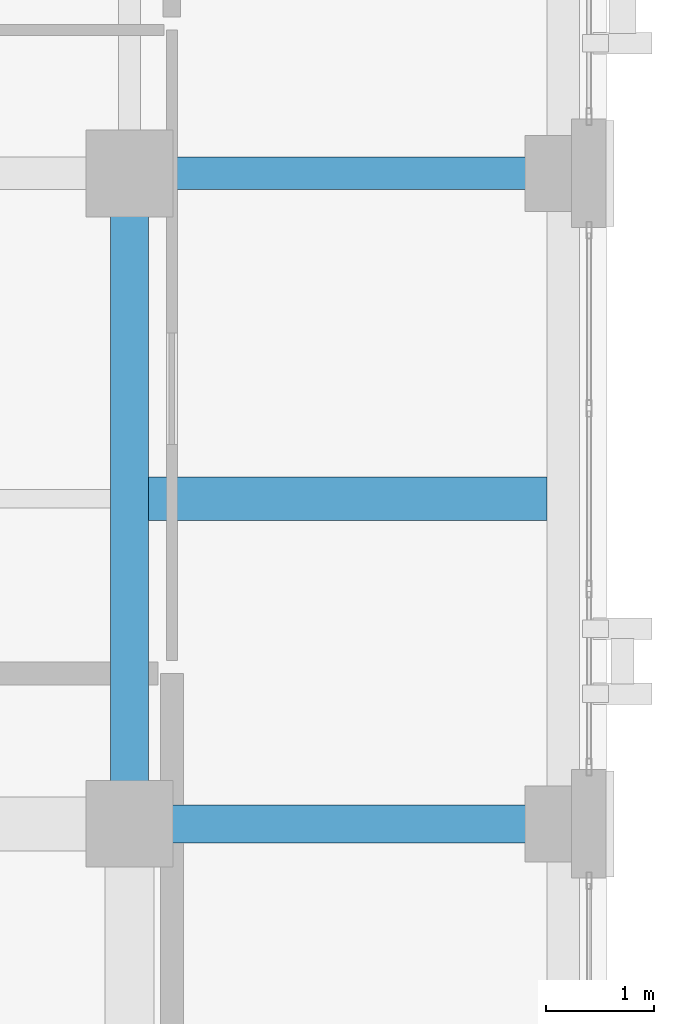
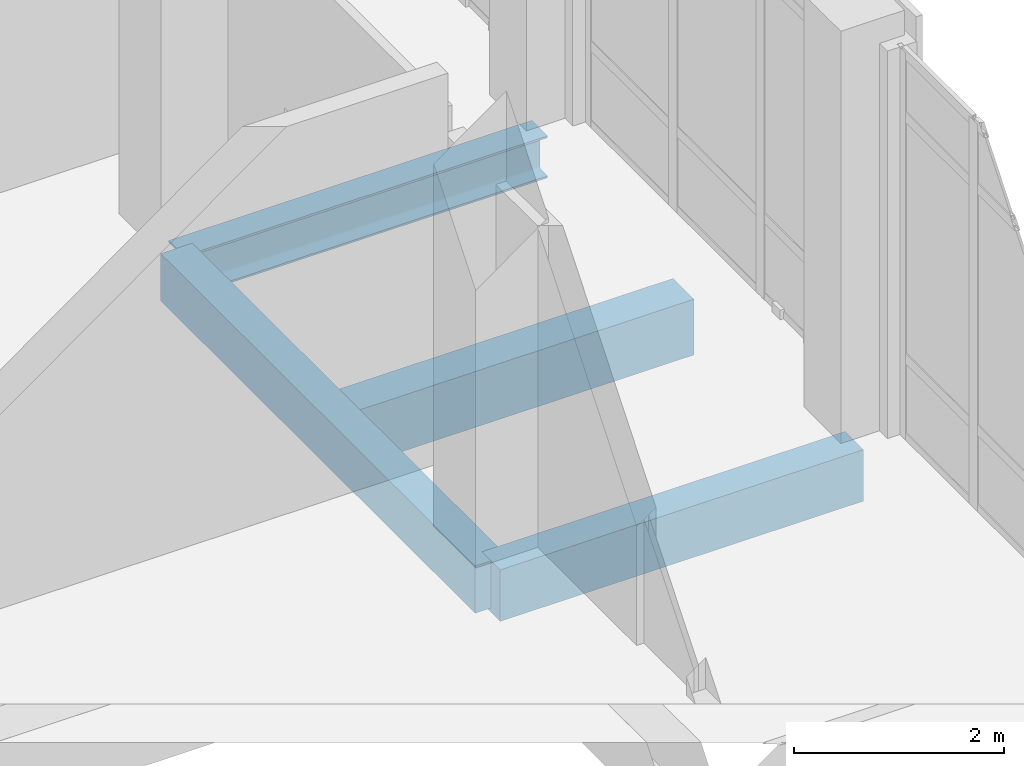
# One storey, part 71 of 189: 4 beams.
"""IFC4 building model written with IfcOpenShell, lengths in metres."""

from ifc_helpers import new_model, si_unit, direction, frame, origin, origin_2d, place, context, subcontext, project, spatial, rectangle, i_section, extrude, material, material_profile, profile_set, type_object, element, save


model = new_model("IFC4")

# Units and contexts
model_context = context("Model", 3, precision=1e-05, world=origin(), true_north=direction((0.0, 1.0)))
body_context = subcontext(model_context, "Body", "Model", "MODEL_VIEW")
ifc_project = project(units=[si_unit("LENGTHUNIT", "METRE"), si_unit("AREAUNIT", "SQUARE_METRE"), si_unit("VOLUMEUNIT", "CUBIC_METRE"), si_unit("PLANEANGLEUNIT", "RADIAN"), si_unit("MASSUNIT", "GRAM", prefix="KILO")], contexts=[model_context])

# Site, building, storey
site_placement = place(None, origin())
site = spatial("IfcSite", under=ifc_project, at=site_placement, CompositionType="ELEMENT")
building_placement = place(site_placement, origin())
building = spatial("IfcBuilding", under=site, at=building_placement, Name="Qalavern Law Courts", CompositionType="ELEMENT")
storey_placement = place(building_placement, frame((0.0, 0.0, 5.39990234375)))
storey = spatial("IfcBuildingStorey", under=building, at=storey_placement, Name="L01", CompositionType="ELEMENT", Elevation=5.39990234375)

# Beams
ifc_material_1 = material(Name="Steel S355", Category="steel")
ifc_material_profile_1 = material_profile(ifc_material_1, i_section(OverallWidth=0.300048828125, OverallDepth=0.489990234375, WebThickness=0.011962890625, FlangeThickness=0.02294921875, FilletRadius=0.027099609375, at=origin_2d()), Name="HEA 500")
ifc_profile_set_1 = profile_set([ifc_material_profile_1], Name="Steel S355")
beam_type_1 = type_object("IfcBeamType", Name="STR-BM-HEA500", PredefinedType="BEAM", material=ifc_profile_set_1)
beam_1_placement = place(storey_placement, frame((14.39990234375, 79.39990234375, -0.544921875), z_axis=(1.0, 0.0, 0.0), x_axis=(0.0, 1.0, 0.0)))
element("IfcBeam", 1, at=beam_1_placement, inside=storey, type_object=beam_type_1, Name="V3 X-beam 6-2 L01", PredefinedType="BEAM", context=body_context, shape_type="SweptSolid", body=[
    extrude(i_section(OverallWidth=0.300048828125, OverallDepth=0.489990234375, WebThickness=0.011962890625, FlangeThickness=0.02294921875, FilletRadius=0.027099609375, at=origin_2d()), origin(), (0.0, 0.0, 1.0), 4.0),
])
ifc_material_2 = material(Name="Concrete C35/45", Category="concrete")
ifc_material_profile_2 = material_profile(ifc_material_2, rectangle(XDim=0.35009765625, YDim=0.550048828125, at=origin_2d()), Name="RC 350x550")
ifc_profile_set_2 = profile_set([ifc_material_profile_2], Name="Concrete C35/45")
beam_type_2 = type_object("IfcBeamType", Name="STR-BM-RC350x550", PredefinedType="BEAM", material=ifc_profile_set_2)
beam_2_placement = place(storey_placement, frame((14.39990234375, 73.39990234375, -0.574951171875), z_axis=(0.0, 1.0, 0.0), x_axis=(-1.0, 0.0, 0.0)))
element("IfcBeam", 2, at=beam_2_placement, inside=storey, type_object=beam_type_2, Name="V3 Y-beam 2-5 L01", PredefinedType="BEAM", context=body_context, shape_type="SweptSolid", body=[
    extrude(rectangle(XDim=0.35009765625, YDim=0.550048828125, at=origin_2d()), origin(), (0.0, 0.0, 1.0), 6.0),
])
ifc_material_profile_3 = material_profile(ifc_material_2, rectangle(XDim=0.35009765625, YDim=0.60009765625, at=origin_2d()), Name="RC 350x600")
ifc_profile_set_3 = profile_set([ifc_material_profile_3], Name="Concrete C35/45")
beam_type_3 = type_object("IfcBeamType", Name="STR-BM-RC350x600", PredefinedType="BEAM", material=ifc_profile_set_3)
beam_3_placement = place(storey_placement, frame((14.39990234375, 73.39990234375, -0.599853515625), z_axis=(1.0, 0.0, 0.0), x_axis=(0.0, 1.0, 0.0)))
element("IfcBeam", 3, at=beam_3_placement, inside=storey, type_object=beam_type_3, Name="V3 X-beam 5-2 L01", PredefinedType="BEAM", context=body_context, shape_type="SweptSolid", body=[
    extrude(rectangle(XDim=0.35009765625, YDim=0.60009765625, at=origin_2d()), origin(), (0.0, 0.0, 1.0), 4.0),
])
ifc_material_profile_4 = material_profile(ifc_material_2, rectangle(XDim=0.39990234375, YDim=0.64990234375, at=origin_2d()), Name="RC 400x650")
ifc_profile_set_4 = profile_set([ifc_material_profile_4], Name="Concrete C35/45")
beam_type_4 = type_object("IfcBeamType", Name="STR-JST-RC400x650", PredefinedType="JOIST", material=ifc_profile_set_4)
beam_4_placement = place(storey_placement, frame((14.572998046875, 76.39990234375, -0.625), z_axis=(1.0, 0.0, 0.0), x_axis=(0.0, 1.0, 0.0)))
element("IfcBeam", 4, at=beam_4_placement, inside=storey, type_object=beam_type_4, Name="V3 secondary joist 2.5.1 L01", PredefinedType="JOIST", context=body_context, shape_type="SweptSolid", body=[
    extrude(rectangle(XDim=0.39990234375, YDim=0.64990234375, at=origin_2d()), origin(), (0.0, 0.0, 1.0), 3.678955078125),
])

save(model, "model.ifc")
